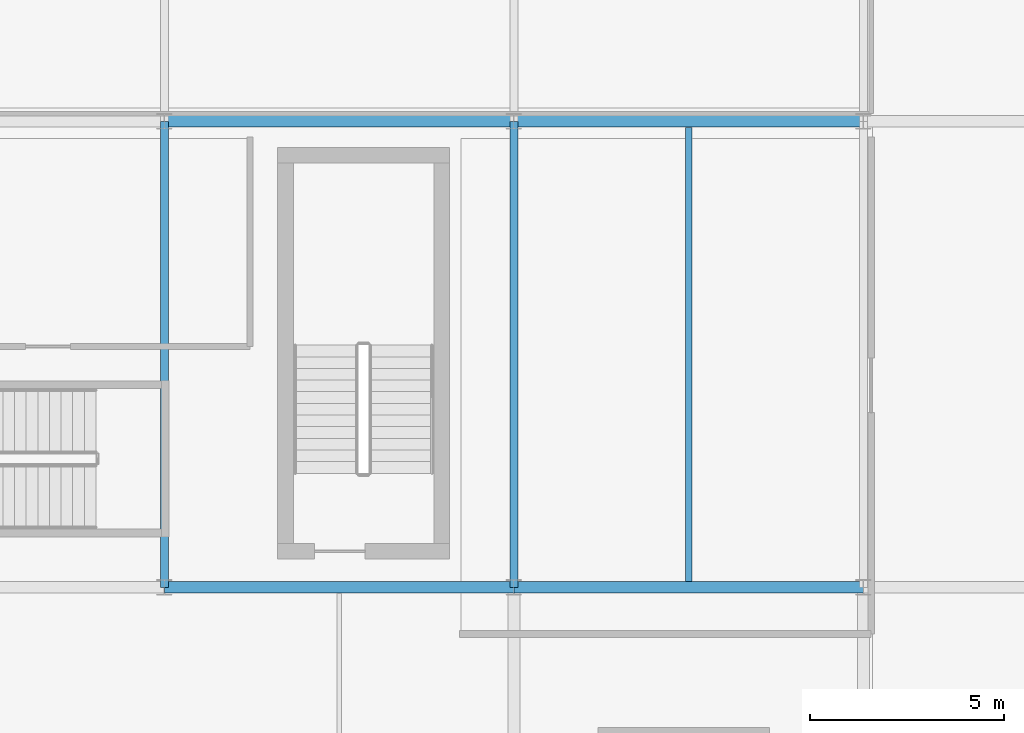
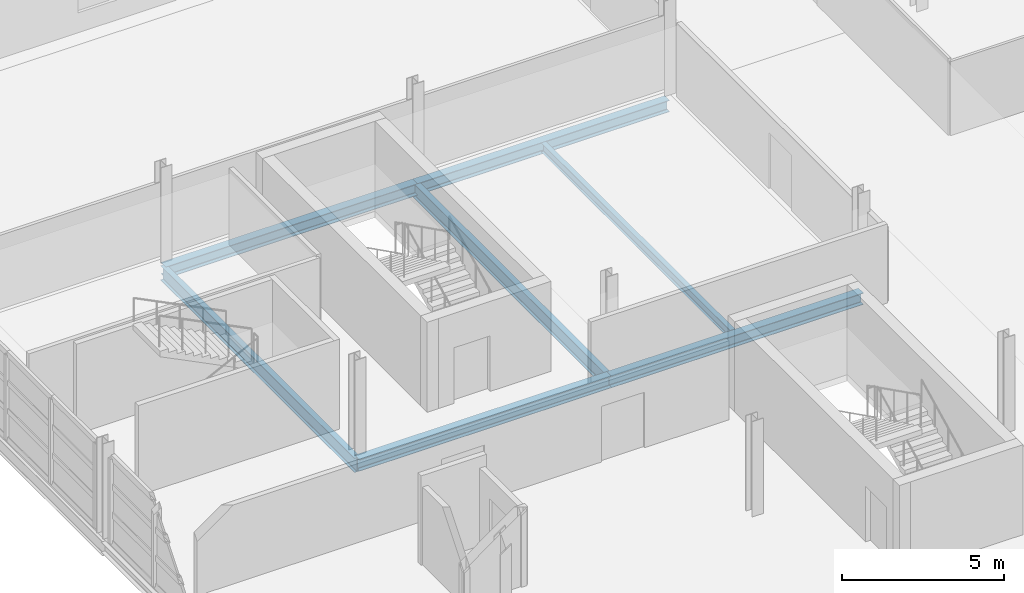
# One storey, part 61 of 116: 7 beams.
"""IFC4 building model written with IfcOpenShell, lengths in metres."""

from ifc_helpers import new_model, si_unit, direction, frame, origin, origin_2d, place, context, subcontext, project, spatial, i_section, extrude, material, material_profile, profile_set, type_object, element, save


model = new_model("IFC4")

# Units and contexts
model_context = context("Model", 3, precision=1e-05, world=origin(), true_north=direction((0.0, 1.0)))
body_context = subcontext(model_context, "Body", "Model", "MODEL_VIEW")
ifc_project = project(units=[si_unit("LENGTHUNIT", "METRE"), si_unit("AREAUNIT", "SQUARE_METRE"), si_unit("VOLUMEUNIT", "CUBIC_METRE"), si_unit("PLANEANGLEUNIT", "RADIAN"), si_unit("MASSUNIT", "GRAM", prefix="KILO")], contexts=[model_context])

# Site, building, storey
site_placement = place(None, origin())
site = spatial("IfcSite", under=ifc_project, at=site_placement, CompositionType="ELEMENT")
building_placement = place(site_placement, origin())
building = spatial("IfcBuilding", under=site, at=building_placement, Name="Chuanluo Vaults Station", CompositionType="ELEMENT")
storey_placement = place(building_placement, frame((0.0, 0.0, 10.800048828125)))
storey = spatial("IfcBuildingStorey", under=building, at=storey_placement, Name="L02", CompositionType="ELEMENT", Elevation=10.800048828125)

# Beams
ifc_material_1 = material(Name="Steel Q355C", Category="steel")
ifc_material_profile_1 = material_profile(ifc_material_1, i_section(OverallWidth=0.300048828125, OverallDepth=0.43994140625, WebThickness=0.010986328125, FlangeThickness=0.01806640625, FilletRadius=0.02001953125, at=origin_2d()))
ifc_profile_set_1 = profile_set([ifc_material_profile_1], Name="Steel Q355C")
beam_type_1 = type_object("IfcBeamType", Name="BM-GRD-450", PredefinedType="USERDEFINED", material=ifc_profile_set_1)
for number, where, z_axis, x_axis, name in (
    (1, (145.0, 18.0, -0.4599609375), (1.0, 0.0, 0.0), (0.0, 1.0, 0.0), "Floor girder BM:GX:L02:0550"),
    (2, (154.0, 18.0, -0.4599609375), (1.0, 0.0, 0.0), (0.0, 1.0, 0.0), "Floor girder BM:GX:L02:0551"),
    (3, (145.0, 30.0, -0.4599609375), (1.0, 0.0, 0.0), (0.0, 1.0, 0.0), "Floor girder BM:GX:L02:0557"),
    (4, (154.0, 30.0, -0.4599609375), (1.0, 0.0, 0.0), (0.0, 1.0, 0.0), "Floor girder BM:GX:L02:0558"),
):
    element("IfcBeam", number, at=place(storey_placement, frame(where, z_axis=z_axis, x_axis=x_axis)), inside=storey, type_object=beam_type_1, Name=name, ObjectType="GIRDER", PredefinedType="USERDEFINED", context=body_context, shape_type="SweptSolid", body=[
        extrude(i_section(OverallWidth=0.300048828125, OverallDepth=0.43994140625, WebThickness=0.010986328125, FlangeThickness=0.01806640625, FilletRadius=0.02001953125, at=origin_2d()), origin(), (0.0, 0.0, 1.0), 9.0),
    ])
ifc_material_2 = material(Name="Steel Q355C", Category="steel")
ifc_material_profile_2 = material_profile(ifc_material_2, i_section(OverallWidth=0.199951171875, OverallDepth=0.550048828125, WebThickness=0.010009765625, FlangeThickness=0.01611328125, FilletRadius=0.01806640625, at=origin_2d()))
ifc_profile_set_2 = profile_set([ifc_material_profile_2], Name="Steel Q355C")
beam_type_2 = type_object("IfcBeamType", Name="BM-GRD-550", PredefinedType="USERDEFINED", material=ifc_profile_set_2)
for number, where, z_axis, x_axis, name in (
    (5, (145.0, 18.0, -0.51513671875), (0.0, 1.0, 0.0), (-1.0, 0.0, 0.0), "Floor girder BM:GY:L02:0642"),
    (6, (154.0, 18.0, -0.51513671875), (0.0, 1.0, 0.0), (-1.0, 0.0, 0.0), "Floor girder BM:GY:L02:0654"),
):
    element("IfcBeam", number, at=place(storey_placement, frame(where, z_axis=z_axis, x_axis=x_axis)), inside=storey, type_object=beam_type_2, Name=name, ObjectType="GIRDER", PredefinedType="USERDEFINED", context=body_context, shape_type="SweptSolid", body=[
        extrude(i_section(OverallWidth=0.199951171875, OverallDepth=0.550048828125, WebThickness=0.010009765625, FlangeThickness=0.01611328125, FilletRadius=0.01806640625, at=origin_2d()), origin(), (0.0, 0.0, 1.0), 12.0),
    ])
ifc_material_3 = material(Name="Steel Q355C", Category="steel")
ifc_material_profile_3 = material_profile(ifc_material_3, i_section(OverallWidth=0.175048828125, OverallDepth=0.35009765625, WebThickness=0.007080078125, FlangeThickness=0.010986328125, FilletRadius=0.013916015625, at=origin_2d()))
ifc_profile_set_3 = profile_set([ifc_material_profile_3], Name="Steel Q355C")
beam_type_3 = type_object("IfcBeamType", Name="BM-SEC-350", PredefinedType="JOIST", material=ifc_profile_set_3)
beam_placement = place(storey_placement, frame((158.5, 18.155029296875, -0.4150390625), z_axis=(0.0, 1.0, 0.0), x_axis=(-1.0, 0.0, 0.0)))
element("IfcBeam", 7, at=beam_placement, inside=storey, type_object=beam_type_3, Name="Composite secondary joist 0209", PredefinedType="JOIST", context=body_context, shape_type="SweptSolid", body=[
    extrude(i_section(OverallWidth=0.175048828125, OverallDepth=0.35009765625, WebThickness=0.007080078125, FlangeThickness=0.010986328125, FilletRadius=0.013916015625, at=origin_2d()), origin(), (0.0, 0.0, 1.0), 11.68994140625),
])

save(model, "model.ifc")
